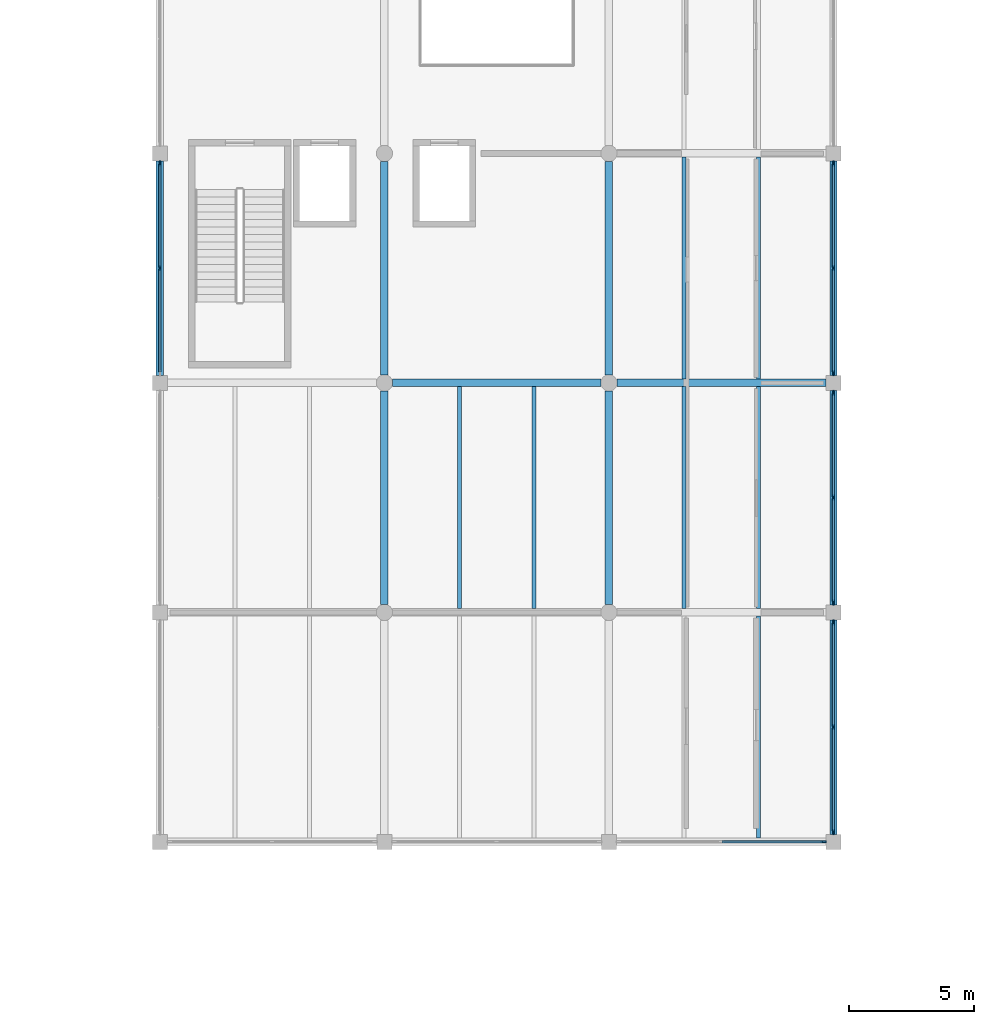
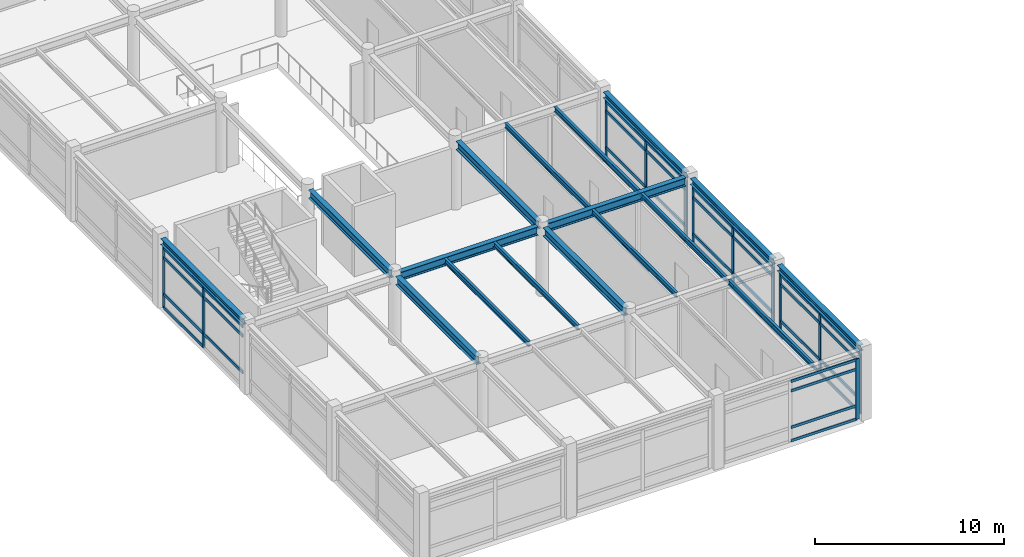
# One storey, part 19 of 61: 47 members, 17 beams, 5 elements without a shape of their own.
"""IFC4 building model written with IfcOpenShell, lengths in metres."""

from ifc_helpers import new_model, si_unit, direction, frame, origin, origin_2d, place, context, subcontext, project, spatial, rectangle, i_section, extrude, material, material_profile, profile_set, type_object, element, aggregate, save


model = new_model("IFC4")

# Units and contexts
model_context = context("Model", 3, precision=1e-05, world=origin(), true_north=direction((0.0, 1.0)))
body_context = subcontext(model_context, "Body", "Model", "MODEL_VIEW")
ifc_project = project(units=[si_unit("LENGTHUNIT", "METRE"), si_unit("AREAUNIT", "SQUARE_METRE"), si_unit("VOLUMEUNIT", "CUBIC_METRE"), si_unit("PLANEANGLEUNIT", "RADIAN"), si_unit("MASSUNIT", "GRAM", prefix="KILO")], contexts=[model_context])

# Site, building, storey
site_placement = place(None, origin())
site = spatial("IfcSite", under=ifc_project, at=site_placement, CompositionType="ELEMENT")
building_placement = place(site_placement, origin())
building = spatial("IfcBuilding", under=site, at=building_placement, Name="Bozkorgan Art Gallery", CompositionType="ELEMENT")
storey_placement = place(building_placement, frame((0.0, 0.0, 10.199951171875)))
storey = spatial("IfcBuildingStorey", under=building, at=storey_placement, Name="L02", CompositionType="ELEMENT", Elevation=10.199951171875)

# Beams
ifc_material_1 = material(Name="Steel S355J2", Category="steel")
ifc_material_profile_1 = material_profile(ifc_material_1, i_section(OverallWidth=0.300048828125, OverallDepth=0.5400390625, WebThickness=0.012451171875, FlangeThickness=0.02392578125, FilletRadius=0.027099609375, at=origin_2d()), Name="HEA 550")
ifc_profile_set_1 = profile_set([ifc_material_profile_1], Name="Steel S355J2")
beam_type_1 = type_object("IfcBeamType", Name="BEAM-BM-35", PredefinedType="BEAM", material=ifc_profile_set_1)
beam_1_placement = place(storey_placement, frame((83.324951171875, 56.800048828125, 4.2099609375), z_axis=(1.0, 0.0, 0.0), x_axis=(0.0, 1.0, 0.0)))
element("IfcBeam", 1, at=beam_1_placement, inside=storey, type_object=beam_type_1, Name="V4 L02 beam X (83-92, 56.8)", PredefinedType="BEAM", context=body_context, shape_type="SweptSolid", body=[
    extrude(i_section(OverallWidth=0.300048828125, OverallDepth=0.5400390625, WebThickness=0.012451171875, FlangeThickness=0.02392578125, FilletRadius=0.027099609375, at=origin_2d()), origin(), (0.0, 0.0, 1.0), 8.35009765625),
])
beam_2_placement = place(storey_placement, frame((92.324951171875, 56.800048828125, 4.2099609375), z_axis=(1.0, 0.0, 0.0), x_axis=(0.0, 1.0, 0.0)))
element("IfcBeam", 2, at=beam_2_placement, inside=storey, type_object=beam_type_1, Name="V4 L02 beam X (92-101, 56.8)", PredefinedType="BEAM", context=body_context, shape_type="SweptSolid", body=[
    extrude(i_section(OverallWidth=0.300048828125, OverallDepth=0.5400390625, WebThickness=0.012451171875, FlangeThickness=0.02392578125, FilletRadius=0.027099609375, at=origin_2d()), origin(), (0.0, 0.0, 1.0), 8.375),
])
for number, where, z_axis, x_axis, name in (
    (3, (83.0, 47.925048828125, 4.2099609375), (0.0, 1.0, 0.0), (-1.0, 0.0, 0.0), "V4 L02 beam Y (83, 47.6-56.8)"),
    (4, (83.0, 57.125, 4.2099609375), (0.0, 1.0, 0.0), (-1.0, 0.0, 0.0), "V4 L02 beam Y (83, 56.8-66.0)"),
    (5, (92.0, 47.925048828125, 4.2099609375), (0.0, 1.0, 0.0), (-1.0, 0.0, 0.0), "V4 L02 beam Y (92, 47.6-56.8)"),
    (6, (92.0, 57.125, 4.2099609375), (0.0, 1.0, 0.0), (-1.0, 0.0, 0.0), "V4 L02 beam Y (92, 56.8-66.0)"),
):
    element("IfcBeam", number, at=place(storey_placement, frame(where, z_axis=z_axis, x_axis=x_axis)), inside=storey, type_object=beam_type_1, Name=name, PredefinedType="BEAM", context=body_context, shape_type="SweptSolid", body=[
        extrude(i_section(OverallWidth=0.300048828125, OverallDepth=0.5400390625, WebThickness=0.012451171875, FlangeThickness=0.02392578125, FilletRadius=0.027099609375, at=origin_2d()), origin(), (0.0, 0.0, 1.0), 8.550048828125),
    ])
ifc_material_profile_2 = material_profile(ifc_material_1, i_section(OverallWidth=0.159912109375, OverallDepth=0.330078125, WebThickness=0.007568359375, FlangeThickness=0.011474609375, FilletRadius=0.01806640625, at=origin_2d()), Name="IPE 330")
ifc_profile_set_2 = profile_set([ifc_material_profile_2], Name="Steel S355J2")
beam_type_2 = type_object("IfcBeamType", Name="BEAM-JS-33", PredefinedType="JOIST", material=ifc_profile_set_2)
for number, where, z_axis, x_axis, name in (
    (7, (86.0, 47.75, 4.31494140625), (0.0, 1.0, 0.0), (-1.0, 0.0, 0.0), "V4 L02 secondary joist (83-92, 47.6-56.8) #1"),
    (8, (89.0, 47.75, 4.31494140625), (0.0, 1.0, 0.0), (-1.0, 0.0, 0.0), "V4 L02 secondary joist (83-92, 47.6-56.8) #2"),
    (9, (98.0, 38.550048828125, 4.31494140625), (0.0, 1.0, 0.0), (-1.0, 0.0, 0.0), "V4 L02 secondary joist (92-101, 38.4-47.6) #2"),
    (10, (95.0, 47.75, 4.31494140625), (0.0, 1.0, 0.0), (-1.0, 0.0, 0.0), "V4 L02 secondary joist (92-101, 47.6-56.8) #1"),
    (11, (98.0, 47.75, 4.31494140625), (0.0, 1.0, 0.0), (-1.0, 0.0, 0.0), "V4 L02 secondary joist (92-101, 47.6-56.8) #2"),
):
    element("IfcBeam", number, at=place(storey_placement, frame(where, z_axis=z_axis, x_axis=x_axis)), inside=storey, type_object=beam_type_2, Name=name, PredefinedType="JOIST", context=body_context, shape_type="SweptSolid", body=[
        extrude(i_section(OverallWidth=0.159912109375, OverallDepth=0.330078125, WebThickness=0.007568359375, FlangeThickness=0.011474609375, FilletRadius=0.01806640625, at=origin_2d()), origin(), (0.0, 0.0, 1.0), 8.89990234375),
    ])
for number, where, z_axis, x_axis, name in (
    (12, (95.0, 56.949951171875, 4.31494140625), (0.0, 1.0, 0.0), (-1.0, 0.0, 0.0), "V4 L02 secondary joist (92-101, 56.8-66.0) #1"),
    (13, (98.0, 56.949951171875, 4.31494140625), (0.0, 1.0, 0.0), (-1.0, 0.0, 0.0), "V4 L02 secondary joist (92-101, 56.8-66.0) #2"),
):
    element("IfcBeam", number, at=place(storey_placement, frame(where, z_axis=z_axis, x_axis=x_axis)), inside=storey, type_object=beam_type_2, Name=name, PredefinedType="JOIST", context=body_context, shape_type="SweptSolid", body=[
        extrude(i_section(OverallWidth=0.159912109375, OverallDepth=0.330078125, WebThickness=0.007568359375, FlangeThickness=0.011474609375, FilletRadius=0.01806640625, at=origin_2d()), origin(), (0.0, 0.0, 1.0), 8.900146484375),
    ])
ifc_material_profile_3 = material_profile(ifc_material_1, i_section(OverallWidth=0.300048828125, OverallDepth=0.389892578125, WebThickness=0.010986328125, FlangeThickness=0.01904296875, FilletRadius=0.027099609375, at=origin_2d()), Name="HEA 400")
ifc_profile_set_3 = profile_set([ifc_material_profile_3], Name="Steel S355J2")
beam_type_3 = type_object("IfcBeamType", Name="BEAM-SP-65", PredefinedType="SPANDREL", material=ifc_profile_set_3)
beam_3_placement = place(storey_placement, frame((74.0, 57.10009765625, 4.28515625), z_axis=(0.0, 1.0, 0.0), x_axis=(-1.0, 0.0, 0.0)))
element("IfcBeam", 14, at=beam_3_placement, inside=storey, type_object=beam_type_3, Name="V4 L02 spandrel Y (74, 56.8-66.0)", PredefinedType="SPANDREL", context=body_context, shape_type="SweptSolid", body=[
    extrude(i_section(OverallWidth=0.300048828125, OverallDepth=0.389892578125, WebThickness=0.010986328125, FlangeThickness=0.01904296875, FilletRadius=0.027099609375, at=origin_2d()), origin(), (0.0, 0.0, 1.0), 8.599853515625),
])
for number, where, z_axis, x_axis, name in (
    (15, (101.0, 38.699951171875, 4.28515625), (0.0, 1.0, 0.0), (-1.0, 0.0, 0.0), "V4 L02 spandrel Y (101, 38.4-47.6)"),
    (16, (101.0, 47.89990234375, 4.28515625), (0.0, 1.0, 0.0), (-1.0, 0.0, 0.0), "V4 L02 spandrel Y (101, 47.6-56.8)"),
):
    element("IfcBeam", number, at=place(storey_placement, frame(where, z_axis=z_axis, x_axis=x_axis)), inside=storey, type_object=beam_type_3, Name=name, PredefinedType="SPANDREL", context=body_context, shape_type="SweptSolid", body=[
        extrude(i_section(OverallWidth=0.300048828125, OverallDepth=0.389892578125, WebThickness=0.010986328125, FlangeThickness=0.01904296875, FilletRadius=0.027099609375, at=origin_2d()), origin(), (0.0, 0.0, 1.0), 8.60009765625),
    ])
beam_4_placement = place(storey_placement, frame((101.0, 57.10009765625, 4.28515625), z_axis=(0.0, 1.0, 0.0), x_axis=(-1.0, 0.0, 0.0)))
element("IfcBeam", 17, at=beam_4_placement, inside=storey, type_object=beam_type_3, Name="V4 L02 spandrel Y (101, 56.8-66.0)", PredefinedType="SPANDREL", context=body_context, shape_type="SweptSolid", body=[
    extrude(i_section(OverallWidth=0.300048828125, OverallDepth=0.389892578125, WebThickness=0.010986328125, FlangeThickness=0.01904296875, FilletRadius=0.027099609375, at=origin_2d()), origin(), (0.0, 0.0, 1.0), 8.599853515625),
])

# Curtain wall, member
ifc_material_2 = material(Name="Anodised Bronze Aluminium", Category="aluminium")
curtain_wall_type_1 = type_object("IfcCurtainWallType", Name="CW-CW-11", PredefinedType="NOTDEFINED", material=ifc_material_2)
curtain_wall_1_placement = place(storey_placement, origin())
curtain_wall_1 = element("IfcCurtainWall", 18, at=curtain_wall_1_placement, inside=storey, type_object=curtain_wall_type_1, Name="L02 unitised curtain wall CW-V4-L02-1S-05", PredefinedType="NOTDEFINED")
ifc_material_profile_4 = material_profile(ifc_material_2, rectangle(XDim=0.074951171875, YDim=0.219970703125, at=origin_2d()), Name="ALU MULLION 75x220")
ifc_profile_set_4 = profile_set([ifc_material_profile_4], Name="Anodised Bronze Aluminium")
member_type_1 = type_object("IfcMemberType", Name="CWM-02", PredefinedType="MULLION", material=ifc_profile_set_4)
member_1_placement = place(storey_placement, frame((100.597412109375, 38.39990234375, 0.02001953125), z_axis=(0.0, 0.0, 1.0), x_axis=(0.0, 1.0, 0.0)))
member_1 = element("IfcMember", 19, at=member_1_placement, type_object=member_type_1, Name="CW-11 mullion 3", PredefinedType="MULLION", context=body_context, shape_type="SweptSolid", body=[
    extrude(rectangle(XDim=0.074951171875, YDim=0.219970703125, at=origin_2d()), origin(), (0.0, 0.0, 1.0), 3.905029296875),
])

# Curtain wall, members
curtain_wall_type_2 = type_object("IfcCurtainWallType", Name="CW-CW-99", PredefinedType="NOTDEFINED", material=ifc_material_2)
curtain_wall_2_placement = place(storey_placement, origin())
curtain_wall_2 = element("IfcCurtainWall", 20, at=curtain_wall_2_placement, inside=storey, type_object=curtain_wall_type_2, Name="L02 unitised curtain wall CW-V4-L02-1E-08", PredefinedType="NOTDEFINED")
member_2_placement = place(storey_placement, frame((101.0, 38.802490234375, 0.02001953125), z_axis=(0.0, 0.0, 1.0), x_axis=(-1.0, 0.0, 0.0)))
member_2 = element("IfcMember", 21, at=member_2_placement, type_object=member_type_1, Name="CW-99 mullion 1", PredefinedType="MULLION", context=body_context, shape_type="SweptSolid", body=[
    extrude(rectangle(XDim=0.074951171875, YDim=0.219970703125, at=origin_2d()), origin(), (0.0, 0.0, 1.0), 3.905029296875),
])
member_3_placement = place(storey_placement, frame((101.0, 43.0, 0.02001953125), z_axis=(0.0, 0.0, 1.0), x_axis=(-1.0, 0.0, 0.0)))
member_3 = element("IfcMember", 22, at=member_3_placement, type_object=member_type_1, Name="CW-99 mullion 2", PredefinedType="MULLION", context=body_context, shape_type="SweptSolid", body=[
    extrude(rectangle(XDim=0.074951171875, YDim=0.219970703125, at=origin_2d()), origin(), (0.0, 0.0, 1.0), 3.905029296875),
])
member_4_placement = place(storey_placement, frame((101.0, 47.197509765625, 0.02001953125), z_axis=(0.0, 0.0, 1.0), x_axis=(-1.0, 0.0, 0.0)))
member_4 = element("IfcMember", 23, at=member_4_placement, type_object=member_type_1, Name="CW-99 mullion 3", PredefinedType="MULLION", context=body_context, shape_type="SweptSolid", body=[
    extrude(rectangle(XDim=0.074951171875, YDim=0.219970703125, at=origin_2d()), origin(), (0.0, 0.0, 1.0), 3.905029296875),
])

curtain_wall_3_placement = place(storey_placement, origin())
curtain_wall_3 = element("IfcCurtainWall", 24, at=curtain_wall_3_placement, inside=storey, type_object=curtain_wall_type_2, Name="L02 unitised curtain wall CW-V4-L02-1E-10", PredefinedType="NOTDEFINED")
member_5_placement = place(storey_placement, frame((101.0, 48.00244140625, 0.02001953125), z_axis=(0.0, 0.0, 1.0), x_axis=(-1.0, 0.0, 0.0)))
member_5 = element("IfcMember", 25, at=member_5_placement, type_object=member_type_1, Name="CW-99 mullion 1", PredefinedType="MULLION", context=body_context, shape_type="SweptSolid", body=[
    extrude(rectangle(XDim=0.074951171875, YDim=0.219970703125, at=origin_2d()), origin(), (0.0, 0.0, 1.0), 3.905029296875),
])
member_6_placement = place(storey_placement, frame((101.0, 52.199951171875, 0.02001953125), z_axis=(0.0, 0.0, 1.0), x_axis=(-1.0, 0.0, 0.0)))
member_6 = element("IfcMember", 26, at=member_6_placement, type_object=member_type_1, Name="CW-99 mullion 2", PredefinedType="MULLION", context=body_context, shape_type="SweptSolid", body=[
    extrude(rectangle(XDim=0.074951171875, YDim=0.219970703125, at=origin_2d()), origin(), (0.0, 0.0, 1.0), 3.905029296875),
])
member_7_placement = place(storey_placement, frame((101.0, 56.3974609375, 0.02001953125), z_axis=(0.0, 0.0, 1.0), x_axis=(-1.0, 0.0, 0.0)))
member_7 = element("IfcMember", 27, at=member_7_placement, type_object=member_type_1, Name="CW-99 mullion 3", PredefinedType="MULLION", context=body_context, shape_type="SweptSolid", body=[
    extrude(rectangle(XDim=0.074951171875, YDim=0.219970703125, at=origin_2d()), origin(), (0.0, 0.0, 1.0), 3.905029296875),
])

curtain_wall_4_placement = place(storey_placement, origin())
curtain_wall_4 = element("IfcCurtainWall", 28, at=curtain_wall_4_placement, inside=storey, type_object=curtain_wall_type_2, Name="L02 unitised curtain wall CW-V4-L02-1W-11", PredefinedType="NOTDEFINED")
member_8_placement = place(storey_placement, frame((74.0, 61.39990234375, 0.02001953125), z_axis=(0.0, 0.0, 1.0), x_axis=(-1.0, 0.0, 0.0)))
member_8 = element("IfcMember", 29, at=member_8_placement, type_object=member_type_1, Name="CW-99 mullion 2", PredefinedType="MULLION", context=body_context, shape_type="SweptSolid", body=[
    extrude(rectangle(XDim=0.074951171875, YDim=0.219970703125, at=origin_2d()), origin(), (0.0, 0.0, 1.0), 3.905029296875),
])
member_9_placement = place(storey_placement, frame((74.0, 65.597412109375, 0.02001953125), z_axis=(0.0, 0.0, 1.0), x_axis=(-1.0, 0.0, 0.0)))
member_9 = element("IfcMember", 30, at=member_9_placement, type_object=member_type_1, Name="CW-99 mullion 3", PredefinedType="MULLION", context=body_context, shape_type="SweptSolid", body=[
    extrude(rectangle(XDim=0.074951171875, YDim=0.219970703125, at=origin_2d()), origin(), (0.0, 0.0, 1.0), 3.905029296875),
])

curtain_wall_5_placement = place(storey_placement, origin())
curtain_wall_5 = element("IfcCurtainWall", 31, at=curtain_wall_5_placement, inside=storey, type_object=curtain_wall_type_2, Name="L02 unitised curtain wall CW-V4-L02-1E-12", PredefinedType="NOTDEFINED")
member_10_placement = place(storey_placement, frame((101.0, 57.202392578125, 0.02001953125), z_axis=(0.0, 0.0, 1.0), x_axis=(-1.0, 0.0, 0.0)))
member_10 = element("IfcMember", 32, at=member_10_placement, type_object=member_type_1, Name="CW-99 mullion 1", PredefinedType="MULLION", context=body_context, shape_type="SweptSolid", body=[
    extrude(rectangle(XDim=0.074951171875, YDim=0.219970703125, at=origin_2d()), origin(), (0.0, 0.0, 1.0), 3.905029296875),
])
member_11_placement = place(storey_placement, frame((101.0, 61.39990234375, 0.02001953125), z_axis=(0.0, 0.0, 1.0), x_axis=(-1.0, 0.0, 0.0)))
member_11 = element("IfcMember", 33, at=member_11_placement, type_object=member_type_1, Name="CW-99 mullion 2", PredefinedType="MULLION", context=body_context, shape_type="SweptSolid", body=[
    extrude(rectangle(XDim=0.074951171875, YDim=0.219970703125, at=origin_2d()), origin(), (0.0, 0.0, 1.0), 3.905029296875),
])
member_12_placement = place(storey_placement, frame((101.0, 65.597412109375, 0.02001953125), z_axis=(0.0, 0.0, 1.0), x_axis=(-1.0, 0.0, 0.0)))
member_12 = element("IfcMember", 34, at=member_12_placement, type_object=member_type_1, Name="CW-99 mullion 3", PredefinedType="MULLION", context=body_context, shape_type="SweptSolid", body=[
    extrude(rectangle(XDim=0.074951171875, YDim=0.219970703125, at=origin_2d()), origin(), (0.0, 0.0, 1.0), 3.905029296875),
])

# Member
ifc_material_profile_5 = material_profile(ifc_material_2, rectangle(XDim=0.074951171875, YDim=0.169921875, at=origin_2d()), Name="ALU TRANSOM 75x170")
ifc_profile_set_5 = profile_set([ifc_material_profile_5], Name="Anodised Bronze Aluminium")
member_type_2 = type_object("IfcMemberType", Name="CWT-02", PredefinedType="USERDEFINED", material=ifc_profile_set_5)
member_13_placement = place(storey_placement, frame((96.53759765625, 38.39990234375, 0.0576171875), z_axis=(1.0, 0.0, 0.0), x_axis=(0.0, 1.0, 0.0)))
member_13 = element("IfcMember", 35, at=member_13_placement, type_object=member_type_2, Name="CW-11 transom 2.1", ObjectType="TRANSOM", PredefinedType="USERDEFINED", context=body_context, shape_type="SweptSolid", body=[
    extrude(rectangle(XDim=0.074951171875, YDim=0.169921875, at=origin_2d()), origin(), (0.0, 0.0, 1.0), 4.0224609375),
])

member_14_placement = place(storey_placement, frame((96.53759765625, 38.39990234375, 0.920166015625), z_axis=(1.0, 0.0, 0.0), x_axis=(0.0, 1.0, 0.0)))
member_14 = element("IfcMember", 36, at=member_14_placement, type_object=member_type_2, Name="CW-11 transom 2.2", ObjectType="TRANSOM", PredefinedType="USERDEFINED", context=body_context, shape_type="SweptSolid", body=[
    extrude(rectangle(XDim=0.074951171875, YDim=0.169921875, at=origin_2d()), origin(), (0.0, 0.0, 1.0), 4.0224609375),
])

member_15_placement = place(storey_placement, frame((96.53759765625, 38.39990234375, 3.275146484375), z_axis=(1.0, 0.0, 0.0), x_axis=(0.0, 1.0, 0.0)))
member_15 = element("IfcMember", 37, at=member_15_placement, type_object=member_type_2, Name="CW-11 transom 2.3", ObjectType="TRANSOM", PredefinedType="USERDEFINED", context=body_context, shape_type="SweptSolid", body=[
    extrude(rectangle(XDim=0.074951171875, YDim=0.169921875, at=origin_2d()), origin(), (0.0, 0.0, 1.0), 4.0224609375),
])

member_16_placement = place(storey_placement, frame((96.53759765625, 38.39990234375, 3.887451171875), z_axis=(1.0, 0.0, 0.0), x_axis=(0.0, 1.0, 0.0)))
member_16 = element("IfcMember", 38, at=member_16_placement, type_object=member_type_2, Name="CW-11 transom 2.4", ObjectType="TRANSOM", PredefinedType="USERDEFINED", context=body_context, shape_type="SweptSolid", body=[
    extrude(rectangle(XDim=0.074951171875, YDim=0.169921875, at=origin_2d()), origin(), (0.0, 0.0, 1.0), 4.0224609375),
])

aggregate(curtain_wall_1, [member_1, member_13, member_14, member_15, member_16])

ifc_material_profile_6 = material_profile(ifc_material_2, rectangle(XDim=0.080078125, YDim=0.199951171875, at=origin_2d()), Name="ALU TRANSOM 80x200")
ifc_profile_set_6 = profile_set([ifc_material_profile_6], Name="Anodised Bronze Aluminium")
member_type_3 = type_object("IfcMemberType", Name="CWT-03", PredefinedType="USERDEFINED", material=ifc_profile_set_6)
member_17_placement = place(storey_placement, frame((101.0, 38.840087890625, 0.06005859375), z_axis=(0.0, 1.0, 0.0), x_axis=(-1.0, 0.0, 0.0)))
member_17 = element("IfcMember", 39, at=member_17_placement, type_object=member_type_3, Name="CW-99 transom 1.1", ObjectType="TRANSOM", PredefinedType="USERDEFINED", context=body_context, shape_type="SweptSolid", body=[
    extrude(rectangle(XDim=0.080078125, YDim=0.199951171875, at=origin_2d()), origin(), (0.0, 0.0, 1.0), 4.122314453125),
])

member_18_placement = place(storey_placement, frame((101.0, 38.840087890625, 0.920166015625), z_axis=(0.0, 1.0, 0.0), x_axis=(-1.0, 0.0, 0.0)))
member_18 = element("IfcMember", 40, at=member_18_placement, type_object=member_type_3, Name="CW-99 transom 1.2", ObjectType="TRANSOM", PredefinedType="USERDEFINED", context=body_context, shape_type="SweptSolid", body=[
    extrude(rectangle(XDim=0.080078125, YDim=0.199951171875, at=origin_2d()), origin(), (0.0, 0.0, 1.0), 4.122314453125),
])

member_19_placement = place(storey_placement, frame((101.0, 38.840087890625, 3.275146484375), z_axis=(0.0, 1.0, 0.0), x_axis=(-1.0, 0.0, 0.0)))
member_19 = element("IfcMember", 41, at=member_19_placement, type_object=member_type_3, Name="CW-99 transom 1.3", ObjectType="TRANSOM", PredefinedType="USERDEFINED", context=body_context, shape_type="SweptSolid", body=[
    extrude(rectangle(XDim=0.080078125, YDim=0.199951171875, at=origin_2d()), origin(), (0.0, 0.0, 1.0), 4.122314453125),
])

member_20_placement = place(storey_placement, frame((101.0, 38.840087890625, 3.885009765625), z_axis=(0.0, 1.0, 0.0), x_axis=(-1.0, 0.0, 0.0)))
member_20 = element("IfcMember", 42, at=member_20_placement, type_object=member_type_3, Name="CW-99 transom 1.4", ObjectType="TRANSOM", PredefinedType="USERDEFINED", context=body_context, shape_type="SweptSolid", body=[
    extrude(rectangle(XDim=0.080078125, YDim=0.199951171875, at=origin_2d()), origin(), (0.0, 0.0, 1.0), 4.122314453125),
])

member_21_placement = place(storey_placement, frame((101.0, 43.03759765625, 0.06005859375), z_axis=(0.0, 1.0, 0.0), x_axis=(-1.0, 0.0, 0.0)))
member_21 = element("IfcMember", 43, at=member_21_placement, type_object=member_type_3, Name="CW-99 transom 2.1", ObjectType="TRANSOM", PredefinedType="USERDEFINED", context=body_context, shape_type="SweptSolid", body=[
    extrude(rectangle(XDim=0.080078125, YDim=0.199951171875, at=origin_2d()), origin(), (0.0, 0.0, 1.0), 4.122314453125),
])

member_22_placement = place(storey_placement, frame((101.0, 43.03759765625, 0.920166015625), z_axis=(0.0, 1.0, 0.0), x_axis=(-1.0, 0.0, 0.0)))
member_22 = element("IfcMember", 44, at=member_22_placement, type_object=member_type_3, Name="CW-99 transom 2.2", ObjectType="TRANSOM", PredefinedType="USERDEFINED", context=body_context, shape_type="SweptSolid", body=[
    extrude(rectangle(XDim=0.080078125, YDim=0.199951171875, at=origin_2d()), origin(), (0.0, 0.0, 1.0), 4.122314453125),
])

member_23_placement = place(storey_placement, frame((101.0, 43.03759765625, 3.275146484375), z_axis=(0.0, 1.0, 0.0), x_axis=(-1.0, 0.0, 0.0)))
member_23 = element("IfcMember", 45, at=member_23_placement, type_object=member_type_3, Name="CW-99 transom 2.3", ObjectType="TRANSOM", PredefinedType="USERDEFINED", context=body_context, shape_type="SweptSolid", body=[
    extrude(rectangle(XDim=0.080078125, YDim=0.199951171875, at=origin_2d()), origin(), (0.0, 0.0, 1.0), 4.122314453125),
])

member_24_placement = place(storey_placement, frame((101.0, 43.03759765625, 3.885009765625), z_axis=(0.0, 1.0, 0.0), x_axis=(-1.0, 0.0, 0.0)))
member_24 = element("IfcMember", 46, at=member_24_placement, type_object=member_type_3, Name="CW-99 transom 2.4", ObjectType="TRANSOM", PredefinedType="USERDEFINED", context=body_context, shape_type="SweptSolid", body=[
    extrude(rectangle(XDim=0.080078125, YDim=0.199951171875, at=origin_2d()), origin(), (0.0, 0.0, 1.0), 4.122314453125),
])

aggregate(curtain_wall_2, [member_2, member_3, member_4, member_17, member_18, member_19, member_20, member_21, member_22, member_23, member_24])

member_25_placement = place(storey_placement, frame((101.0, 48.0400390625, 0.06005859375), z_axis=(0.0, 1.0, 0.0), x_axis=(-1.0, 0.0, 0.0)))
member_25 = element("IfcMember", 47, at=member_25_placement, type_object=member_type_3, Name="CW-99 transom 1.1", ObjectType="TRANSOM", PredefinedType="USERDEFINED", context=body_context, shape_type="SweptSolid", body=[
    extrude(rectangle(XDim=0.080078125, YDim=0.199951171875, at=origin_2d()), origin(), (0.0, 0.0, 1.0), 4.12255859375),
])

member_26_placement = place(storey_placement, frame((101.0, 48.0400390625, 0.920166015625), z_axis=(0.0, 1.0, 0.0), x_axis=(-1.0, 0.0, 0.0)))
member_26 = element("IfcMember", 48, at=member_26_placement, type_object=member_type_3, Name="CW-99 transom 1.2", ObjectType="TRANSOM", PredefinedType="USERDEFINED", context=body_context, shape_type="SweptSolid", body=[
    extrude(rectangle(XDim=0.080078125, YDim=0.199951171875, at=origin_2d()), origin(), (0.0, 0.0, 1.0), 4.12255859375),
])

member_27_placement = place(storey_placement, frame((101.0, 48.0400390625, 3.275146484375), z_axis=(0.0, 1.0, 0.0), x_axis=(-1.0, 0.0, 0.0)))
member_27 = element("IfcMember", 49, at=member_27_placement, type_object=member_type_3, Name="CW-99 transom 1.3", ObjectType="TRANSOM", PredefinedType="USERDEFINED", context=body_context, shape_type="SweptSolid", body=[
    extrude(rectangle(XDim=0.080078125, YDim=0.199951171875, at=origin_2d()), origin(), (0.0, 0.0, 1.0), 4.12255859375),
])

member_28_placement = place(storey_placement, frame((101.0, 48.0400390625, 3.885009765625), z_axis=(0.0, 1.0, 0.0), x_axis=(-1.0, 0.0, 0.0)))
member_28 = element("IfcMember", 50, at=member_28_placement, type_object=member_type_3, Name="CW-99 transom 1.4", ObjectType="TRANSOM", PredefinedType="USERDEFINED", context=body_context, shape_type="SweptSolid", body=[
    extrude(rectangle(XDim=0.080078125, YDim=0.199951171875, at=origin_2d()), origin(), (0.0, 0.0, 1.0), 4.12255859375),
])

member_29_placement = place(storey_placement, frame((101.0, 52.237548828125, 0.06005859375), z_axis=(0.0, 1.0, 0.0), x_axis=(-1.0, 0.0, 0.0)))
member_29 = element("IfcMember", 51, at=member_29_placement, type_object=member_type_3, Name="CW-99 transom 2.1", ObjectType="TRANSOM", PredefinedType="USERDEFINED", context=body_context, shape_type="SweptSolid", body=[
    extrude(rectangle(XDim=0.080078125, YDim=0.199951171875, at=origin_2d()), origin(), (0.0, 0.0, 1.0), 4.12255859375),
])

member_30_placement = place(storey_placement, frame((101.0, 52.237548828125, 0.920166015625), z_axis=(0.0, 1.0, 0.0), x_axis=(-1.0, 0.0, 0.0)))
member_30 = element("IfcMember", 52, at=member_30_placement, type_object=member_type_3, Name="CW-99 transom 2.2", ObjectType="TRANSOM", PredefinedType="USERDEFINED", context=body_context, shape_type="SweptSolid", body=[
    extrude(rectangle(XDim=0.080078125, YDim=0.199951171875, at=origin_2d()), origin(), (0.0, 0.0, 1.0), 4.12255859375),
])

member_31_placement = place(storey_placement, frame((101.0, 52.237548828125, 3.275146484375), z_axis=(0.0, 1.0, 0.0), x_axis=(-1.0, 0.0, 0.0)))
member_31 = element("IfcMember", 53, at=member_31_placement, type_object=member_type_3, Name="CW-99 transom 2.3", ObjectType="TRANSOM", PredefinedType="USERDEFINED", context=body_context, shape_type="SweptSolid", body=[
    extrude(rectangle(XDim=0.080078125, YDim=0.199951171875, at=origin_2d()), origin(), (0.0, 0.0, 1.0), 4.12255859375),
])

member_32_placement = place(storey_placement, frame((101.0, 52.237548828125, 3.885009765625), z_axis=(0.0, 1.0, 0.0), x_axis=(-1.0, 0.0, 0.0)))
member_32 = element("IfcMember", 54, at=member_32_placement, type_object=member_type_3, Name="CW-99 transom 2.4", ObjectType="TRANSOM", PredefinedType="USERDEFINED", context=body_context, shape_type="SweptSolid", body=[
    extrude(rectangle(XDim=0.080078125, YDim=0.199951171875, at=origin_2d()), origin(), (0.0, 0.0, 1.0), 4.12255859375),
])

aggregate(curtain_wall_3, [member_5, member_6, member_7, member_25, member_26, member_27, member_28, member_29, member_30, member_31, member_32])

member_33_placement = place(storey_placement, frame((74.0, 57.239990234375, 0.920166015625), z_axis=(0.0, 1.0, 0.0), x_axis=(-1.0, 0.0, 0.0)))
member_33 = element("IfcMember", 55, at=member_33_placement, type_object=member_type_3, Name="CW-99 transom 1.2", ObjectType="TRANSOM", PredefinedType="USERDEFINED", context=body_context, shape_type="SweptSolid", body=[
    extrude(rectangle(XDim=0.080078125, YDim=0.199951171875, at=origin_2d()), origin(), (0.0, 0.0, 1.0), 4.12255859375),
])

member_34_placement = place(storey_placement, frame((74.0, 57.239990234375, 3.275146484375), z_axis=(0.0, 1.0, 0.0), x_axis=(-1.0, 0.0, 0.0)))
member_34 = element("IfcMember", 56, at=member_34_placement, type_object=member_type_3, Name="CW-99 transom 1.3", ObjectType="TRANSOM", PredefinedType="USERDEFINED", context=body_context, shape_type="SweptSolid", body=[
    extrude(rectangle(XDim=0.080078125, YDim=0.199951171875, at=origin_2d()), origin(), (0.0, 0.0, 1.0), 4.12255859375),
])

member_35_placement = place(storey_placement, frame((74.0, 57.239990234375, 3.885009765625), z_axis=(0.0, 1.0, 0.0), x_axis=(-1.0, 0.0, 0.0)))
member_35 = element("IfcMember", 57, at=member_35_placement, type_object=member_type_3, Name="CW-99 transom 1.4", ObjectType="TRANSOM", PredefinedType="USERDEFINED", context=body_context, shape_type="SweptSolid", body=[
    extrude(rectangle(XDim=0.080078125, YDim=0.199951171875, at=origin_2d()), origin(), (0.0, 0.0, 1.0), 4.12255859375),
])

member_36_placement = place(storey_placement, frame((74.0, 61.4375, 0.06005859375), z_axis=(0.0, 1.0, 0.0), x_axis=(-1.0, 0.0, 0.0)))
member_36 = element("IfcMember", 58, at=member_36_placement, type_object=member_type_3, Name="CW-99 transom 2.1", ObjectType="TRANSOM", PredefinedType="USERDEFINED", context=body_context, shape_type="SweptSolid", body=[
    extrude(rectangle(XDim=0.080078125, YDim=0.199951171875, at=origin_2d()), origin(), (0.0, 0.0, 1.0), 4.12255859375),
])

member_37_placement = place(storey_placement, frame((74.0, 61.4375, 0.920166015625), z_axis=(0.0, 1.0, 0.0), x_axis=(-1.0, 0.0, 0.0)))
member_37 = element("IfcMember", 59, at=member_37_placement, type_object=member_type_3, Name="CW-99 transom 2.2", ObjectType="TRANSOM", PredefinedType="USERDEFINED", context=body_context, shape_type="SweptSolid", body=[
    extrude(rectangle(XDim=0.080078125, YDim=0.199951171875, at=origin_2d()), origin(), (0.0, 0.0, 1.0), 4.12255859375),
])

member_38_placement = place(storey_placement, frame((74.0, 61.4375, 3.275146484375), z_axis=(0.0, 1.0, 0.0), x_axis=(-1.0, 0.0, 0.0)))
member_38 = element("IfcMember", 60, at=member_38_placement, type_object=member_type_3, Name="CW-99 transom 2.3", ObjectType="TRANSOM", PredefinedType="USERDEFINED", context=body_context, shape_type="SweptSolid", body=[
    extrude(rectangle(XDim=0.080078125, YDim=0.199951171875, at=origin_2d()), origin(), (0.0, 0.0, 1.0), 4.12255859375),
])

member_39_placement = place(storey_placement, frame((74.0, 61.4375, 3.885009765625), z_axis=(0.0, 1.0, 0.0), x_axis=(-1.0, 0.0, 0.0)))
member_39 = element("IfcMember", 61, at=member_39_placement, type_object=member_type_3, Name="CW-99 transom 2.4", ObjectType="TRANSOM", PredefinedType="USERDEFINED", context=body_context, shape_type="SweptSolid", body=[
    extrude(rectangle(XDim=0.080078125, YDim=0.199951171875, at=origin_2d()), origin(), (0.0, 0.0, 1.0), 4.12255859375),
])

aggregate(curtain_wall_4, [member_8, member_9, member_33, member_34, member_35, member_36, member_37, member_38, member_39])

member_40_placement = place(storey_placement, frame((101.0, 57.239990234375, 0.06005859375), z_axis=(0.0, 1.0, 0.0), x_axis=(-1.0, 0.0, 0.0)))
member_40 = element("IfcMember", 62, at=member_40_placement, type_object=member_type_3, Name="CW-99 transom 1.1", ObjectType="TRANSOM", PredefinedType="USERDEFINED", context=body_context, shape_type="SweptSolid", body=[
    extrude(rectangle(XDim=0.080078125, YDim=0.199951171875, at=origin_2d()), origin(), (0.0, 0.0, 1.0), 4.12255859375),
])

member_41_placement = place(storey_placement, frame((101.0, 57.239990234375, 0.920166015625), z_axis=(0.0, 1.0, 0.0), x_axis=(-1.0, 0.0, 0.0)))
member_41 = element("IfcMember", 63, at=member_41_placement, type_object=member_type_3, Name="CW-99 transom 1.2", ObjectType="TRANSOM", PredefinedType="USERDEFINED", context=body_context, shape_type="SweptSolid", body=[
    extrude(rectangle(XDim=0.080078125, YDim=0.199951171875, at=origin_2d()), origin(), (0.0, 0.0, 1.0), 4.12255859375),
])

member_42_placement = place(storey_placement, frame((101.0, 57.239990234375, 3.275146484375), z_axis=(0.0, 1.0, 0.0), x_axis=(-1.0, 0.0, 0.0)))
member_42 = element("IfcMember", 64, at=member_42_placement, type_object=member_type_3, Name="CW-99 transom 1.3", ObjectType="TRANSOM", PredefinedType="USERDEFINED", context=body_context, shape_type="SweptSolid", body=[
    extrude(rectangle(XDim=0.080078125, YDim=0.199951171875, at=origin_2d()), origin(), (0.0, 0.0, 1.0), 4.12255859375),
])

member_43_placement = place(storey_placement, frame((101.0, 57.239990234375, 3.885009765625), z_axis=(0.0, 1.0, 0.0), x_axis=(-1.0, 0.0, 0.0)))
member_43 = element("IfcMember", 65, at=member_43_placement, type_object=member_type_3, Name="CW-99 transom 1.4", ObjectType="TRANSOM", PredefinedType="USERDEFINED", context=body_context, shape_type="SweptSolid", body=[
    extrude(rectangle(XDim=0.080078125, YDim=0.199951171875, at=origin_2d()), origin(), (0.0, 0.0, 1.0), 4.12255859375),
])

member_44_placement = place(storey_placement, frame((101.0, 61.4375, 0.06005859375), z_axis=(0.0, 1.0, 0.0), x_axis=(-1.0, 0.0, 0.0)))
member_44 = element("IfcMember", 66, at=member_44_placement, type_object=member_type_3, Name="CW-99 transom 2.1", ObjectType="TRANSOM", PredefinedType="USERDEFINED", context=body_context, shape_type="SweptSolid", body=[
    extrude(rectangle(XDim=0.080078125, YDim=0.199951171875, at=origin_2d()), origin(), (0.0, 0.0, 1.0), 4.12255859375),
])

member_45_placement = place(storey_placement, frame((101.0, 61.4375, 0.920166015625), z_axis=(0.0, 1.0, 0.0), x_axis=(-1.0, 0.0, 0.0)))
member_45 = element("IfcMember", 67, at=member_45_placement, type_object=member_type_3, Name="CW-99 transom 2.2", ObjectType="TRANSOM", PredefinedType="USERDEFINED", context=body_context, shape_type="SweptSolid", body=[
    extrude(rectangle(XDim=0.080078125, YDim=0.199951171875, at=origin_2d()), origin(), (0.0, 0.0, 1.0), 4.12255859375),
])

member_46_placement = place(storey_placement, frame((101.0, 61.4375, 3.275146484375), z_axis=(0.0, 1.0, 0.0), x_axis=(-1.0, 0.0, 0.0)))
member_46 = element("IfcMember", 68, at=member_46_placement, type_object=member_type_3, Name="CW-99 transom 2.3", ObjectType="TRANSOM", PredefinedType="USERDEFINED", context=body_context, shape_type="SweptSolid", body=[
    extrude(rectangle(XDim=0.080078125, YDim=0.199951171875, at=origin_2d()), origin(), (0.0, 0.0, 1.0), 4.12255859375),
])

member_47_placement = place(storey_placement, frame((101.0, 61.4375, 3.885009765625), z_axis=(0.0, 1.0, 0.0), x_axis=(-1.0, 0.0, 0.0)))
member_47 = element("IfcMember", 69, at=member_47_placement, type_object=member_type_3, Name="CW-99 transom 2.4", ObjectType="TRANSOM", PredefinedType="USERDEFINED", context=body_context, shape_type="SweptSolid", body=[
    extrude(rectangle(XDim=0.080078125, YDim=0.199951171875, at=origin_2d()), origin(), (0.0, 0.0, 1.0), 4.12255859375),
])

aggregate(curtain_wall_5, [member_10, member_11, member_12, member_40, member_41, member_42, member_43, member_44, member_45, member_46, member_47])

save(model, "model.ifc")
